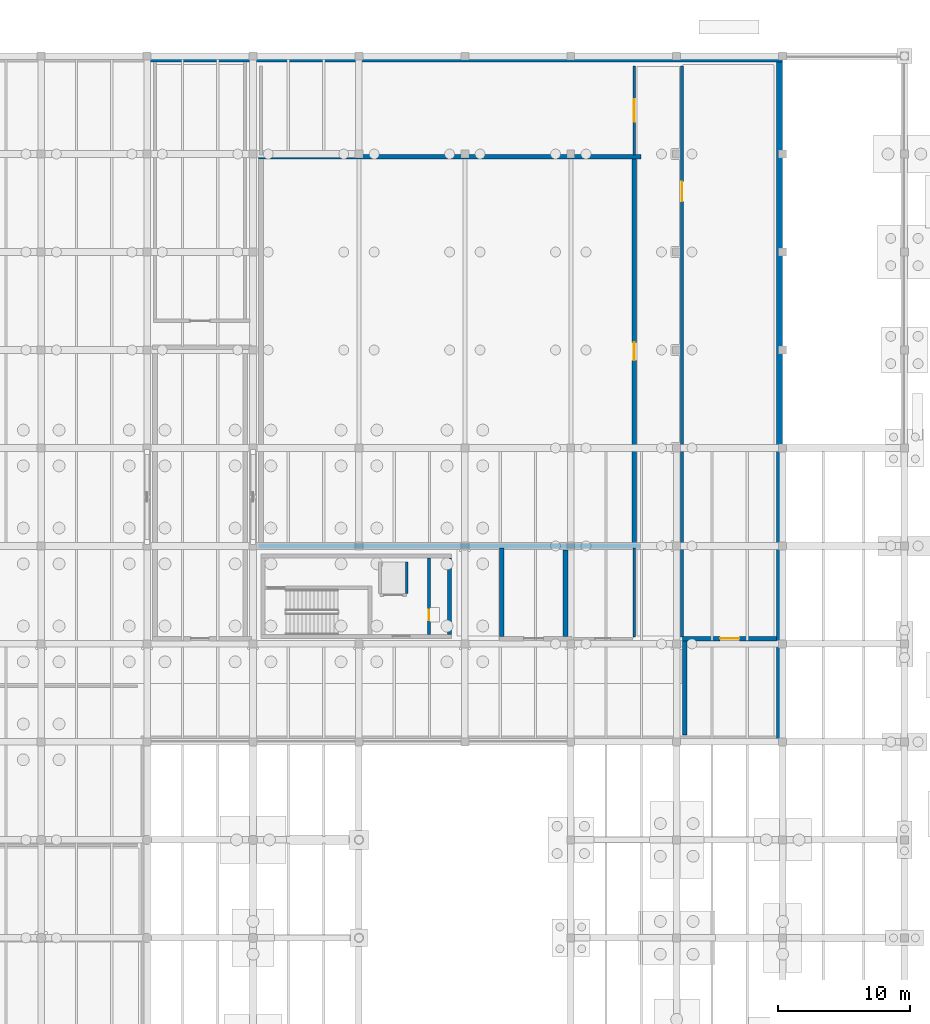
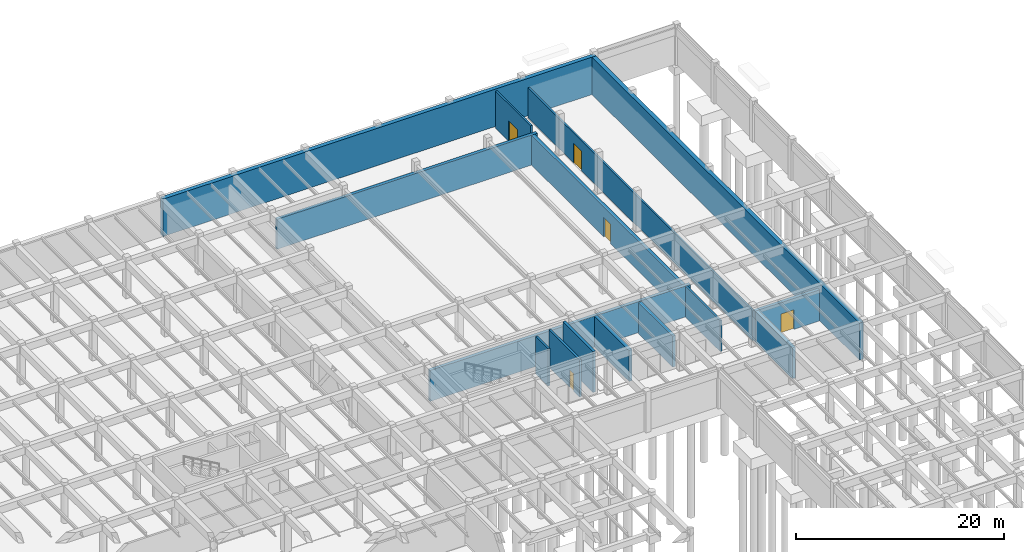
# One storey, part 25 of 40: 15 walls, 5 doors, 5 openings.
"""IFC4 building model written with IfcOpenShell, lengths in metres."""

from ifc_helpers import new_model, si_unit, direction, frame, frame_2d, origin, place, context, subcontext, project, spatial, rectangle, extrude, material, layer, layer_set, type_object, element, fill, save


model = new_model("IFC4")

# Units and contexts
model_context = context("Model", 3, precision=1e-05, world=origin(), true_north=direction((0.0, 1.0)))
body_context = subcontext(model_context, "Body", "Model", "MODEL_VIEW")
ifc_project = project(units=[si_unit("LENGTHUNIT", "METRE"), si_unit("AREAUNIT", "SQUARE_METRE"), si_unit("VOLUMEUNIT", "CUBIC_METRE"), si_unit("PLANEANGLEUNIT", "RADIAN"), si_unit("MASSUNIT", "GRAM", prefix="KILO")], contexts=[model_context])

# Site, building, storey
site_placement = place(None, origin())
site = spatial("IfcSite", under=ifc_project, at=site_placement, CompositionType="ELEMENT")
building_placement = place(site_placement, origin())
building = spatial("IfcBuilding", under=site, at=building_placement, Name="Valkorina Park Police Headquarters", CompositionType="ELEMENT")
storey_placement = place(building_placement, frame((0.0, 0.0, -4.800048828125)))
storey = spatial("IfcBuildingStorey", under=building, at=storey_placement, Name="B01", CompositionType="ELEMENT", Elevation=-4.800048828125)

# Wall
ifc_material_1 = material(Name="Autoclaved aerated concrete masonry", Category="masonry")
ifc_layer_1 = layer(ifc_material_1, 0.219970703125)
ifc_layer_set_1 = layer_set([ifc_layer_1], Name="Autoclaved aerated concrete masonry")
wall_type_1 = type_object("IfcWallType", Name="WL-CHASE-220-EI60", PredefinedType="PLUMBINGWALL", material=ifc_layer_set_1)
wall_1_placement = place(storey_placement, frame((124.409912109375, 70.39990234375, 0.0), z_axis=(0.0, 0.0, 1.0), x_axis=(0.0, 1.0, 0.0)))
element("IfcWall", 1, at=wall_1_placement, inside=storey, type_object=wall_type_1, Name="Lift LF-07 B01 Shaft Side Wall E", PredefinedType="PLUMBINGWALL", context=body_context, shape_type="SweptSolid", body=[
    extrude(rectangle(XDim=2.400146484375, YDim=0.219970703125, at=frame_2d((1.2001953125, 0.0))), origin(), (0.0, 0.0, 1.0), 4.380126953125),
])

# Wall, opening, door
wall_2_placement = place(storey_placement, frame((126.090087890625, 67.300048828125, 0.0), z_axis=(0.0, 0.0, 1.0), x_axis=(0.0, 1.0, 0.0)))
wall_2 = element("IfcWall", 2, at=wall_2_placement, inside=storey, type_object=wall_type_1, Name="Core C5 B01 Riser Shaft West Wall", PredefinedType="PLUMBINGWALL", context=body_context, shape_type="SweptSolid", body=[
    extrude(rectangle(XDim=5.800048828125, YDim=0.219970703125, at=frame_2d((2.89990234375, 0.0))), origin(), (0.0, 0.0, 1.0), 4.380126953125),
])
opening_1_placement = place(wall_2_placement, frame((1.10009765625, 0.0, 0.0)))
opening_1 = element("IfcOpeningElement", 3, at=opening_1_placement, cuts=wall_2, Name="Opening ID-01", PredefinedType="OPENING", context=body_context, shape_type="SweptSolid", body=[
    extrude(rectangle(XDim=0.800048828125, YDim=2.10009765625, at=frame_2d((0.39990234375, 1.050048828125))), frame((0.0, 0.1201171875, 0.0), z_axis=(0.0, -1.0, 0.0), x_axis=(1.0, 0.0, 0.0)), (0.0, 0.0, 1.0), 0.239990234375),
])
ifc_material_2 = material(Name="Galvanized steel door leaf", Category="steel")
ifc_layer_2 = layer(ifc_material_2, 0.050048828125)
ifc_layer_set_2 = layer_set([ifc_layer_2], Name="Galvanized steel door leaf")
door_type_1 = type_object("IfcDoorType", Name="DR-INT-RISER-800x2100", OperationType="NOTDEFINED", PredefinedType="DOOR", material=ifc_layer_set_2)
door_1_placement = place(opening_1_placement, origin())
door_1 = element("IfcDoor", 4, at=door_1_placement, inside=storey, type_object=door_type_1, Name="Riser Shaft Access Door C5-B01", OperationType="SINGLE_SWING_RIGHT", OverallHeight=2.10009765625, OverallWidth=0.800048828125, PredefinedType="DOOR", context=body_context, shape_type="SweptSolid", body=[
    extrude(rectangle(XDim=0.800048828125, YDim=2.10009765625, at=frame_2d((0.39990234375, 1.050048828125))), frame((0.0, 0.02490234375, 0.0), z_axis=(0.0, -1.0, 0.0), x_axis=(1.0, 0.0, 0.0)), (0.0, 0.0, 1.0), 0.050048828125),
])
fill(opening_1, door_1)

# Walls
ifc_material_3 = material(Name="Concrete C40/50", Category="concrete")
ifc_layer_3 = layer(ifc_material_3, 0.300048828125)
ifc_layer_set_3 = layer_set([ifc_layer_3], Name="Concrete C40/50")
wall_type_2 = type_object("IfcWallType", Name="WL-CORE-300-REI120", PredefinedType="SHEAR", material=ifc_layer_set_3)
wall_3_placement = place(storey_placement, frame((127.64990234375, 67.300048828125, 0.0), z_axis=(0.0, 0.0, 1.0), x_axis=(0.0, 1.0, 0.0)))
element("IfcWall", 5, at=wall_3_placement, inside=storey, type_object=wall_type_2, Name="Core C5 B01 Shear Wall E", PredefinedType="SHEAR", context=body_context, shape_type="SweptSolid", body=[
    extrude(rectangle(XDim=5.800048828125, YDim=0.300048828125, at=frame_2d((2.89990234375, 0.0))), origin(), (0.0, 0.0, 1.0), 4.795166015625),
])
ifc_layer_4 = layer(ifc_material_1, 0.199951171875)
ifc_layer_set_4 = layer_set([ifc_layer_4], Name="Autoclaved aerated concrete masonry")
wall_type_3 = type_object("IfcWallType", Name="WL-CORR-200-EI60", PredefinedType="STANDARD", material=ifc_layer_set_4)
wall_4_placement = place(storey_placement, frame((141.60009765625, 67.139892578125, 0.0), z_axis=(0.0, 0.0, 1.0), x_axis=(0.0, 1.0, 0.0)))
element("IfcWall", 6, at=wall_4_placement, inside=storey, type_object=wall_type_3, Name="B01 Interior Partition 0041 (B01-LCK-01)", PredefinedType="STANDARD", context=body_context, shape_type="SweptSolid", body=[
    extrude(rectangle(XDim=6.72021484375, YDim=0.199951171875, at=frame_2d((3.360107421875, 0.0))), origin(), (0.0, 0.0, 1.0), 3.630126953125),
])

# Wall, opening, door
wall_5_placement = place(storey_placement, frame((145.199951171875, 67.139892578125, 0.0), z_axis=(0.0, 0.0, 1.0), x_axis=(0.0, 1.0, 0.0)))
wall_5 = element("IfcWall", 7, at=wall_5_placement, inside=storey, type_object=wall_type_3, Name="B01 Interior Partition 0042 (B01-FLT-01)", PredefinedType="STANDARD", context=body_context, shape_type="SweptSolid", body=[
    extrude(rectangle(XDim=43.1201171875, YDim=0.199951171875, at=frame_2d((21.56005859375, 0.0))), origin(), (0.0, 0.0, 1.0), 3.510009765625),
])
opening_2_placement = place(wall_5_placement, frame((32.883544921875, 0.0, 0.0)))
opening_2 = element("IfcOpeningElement", 8, at=opening_2_placement, cuts=wall_5, Name="Opening ID-08", PredefinedType="OPENING", context=body_context, shape_type="SweptSolid", body=[
    extrude(rectangle(XDim=1.5, YDim=2.300048828125, at=frame_2d((0.75, 1.14990234375))), frame((0.0, 0.10986328125, 0.0), z_axis=(0.0, -1.0, 0.0), x_axis=(1.0, 0.0, 0.0)), (0.0, 0.0, 1.0), 0.219970703125),
])
ifc_layer_5 = layer(ifc_material_2, 0.050048828125)
ifc_layer_set_5 = layer_set([ifc_layer_5], Name="Galvanized steel door leaf")
door_type_2 = type_object("IfcDoorType", Name="DR-INT-EQP-1500x2300", OperationType="NOTDEFINED", PredefinedType="DOOR", material=ifc_layer_set_5)
door_2_placement = place(opening_2_placement, origin())
door_2 = element("IfcDoor", 9, at=door_2_placement, inside=storey, type_object=door_type_2, Name="Door D-B01-I016 (B01-FLT-01)", OperationType="SINGLE_SWING_LEFT", OverallHeight=2.300048828125, OverallWidth=1.5, PredefinedType="DOOR", context=body_context, shape_type="SweptSolid", body=[
    extrude(rectangle(XDim=1.5, YDim=2.300048828125, at=frame_2d((0.75, 1.14990234375))), frame((0.0, 0.02490234375, 0.0), z_axis=(0.0, -1.0, 0.0), x_axis=(1.0, 0.0, 0.0)), (0.0, 0.0, 1.0), 0.050048828125),
])
fill(opening_2, door_2)

wall_6_placement = place(storey_placement, frame((141.60009765625, 103.5400390625, 0.0), z_axis=(0.0, 0.0, 1.0), x_axis=(0.0, 1.0, 0.0)))
wall_6 = element("IfcWall", 10, at=wall_6_placement, inside=storey, type_object=wall_type_3, Name="B01 Interior Partition 0044 (B01-PLT-05)", PredefinedType="STANDARD", context=body_context, shape_type="SweptSolid", body=[
    extrude(rectangle(XDim=6.719970703125, YDim=0.199951171875, at=frame_2d((3.35986328125, 0.0))), origin(), (0.0, 0.0, 1.0), 4.380126953125),
])
opening_3_placement = place(wall_6_placement, frame((2.510009765625, 0.0, 0.0)))
opening_3 = element("IfcOpeningElement", 11, at=opening_3_placement, cuts=wall_6, Name="Opening FD-08", PredefinedType="OPENING", context=body_context, shape_type="SweptSolid", body=[
    extrude(rectangle(XDim=1.699951171875, YDim=2.39990234375, at=frame_2d((0.85009765625, 1.199951171875))), frame((0.0, 0.10986328125, 0.0), z_axis=(0.0, -1.0, 0.0), x_axis=(1.0, 0.0, 0.0)), (0.0, 0.0, 1.0), 0.219970703125),
])
ifc_layer_6 = layer(ifc_material_2, 0.050048828125)
ifc_layer_set_6 = layer_set([ifc_layer_6], Name="Galvanized steel door leaf")
door_type_3 = type_object("IfcDoorType", Name="DR-FIRE-PLANT-1700x2400", OperationType="NOTDEFINED", PredefinedType="DOOR", material=ifc_layer_set_6)
door_3_placement = place(opening_3_placement, origin())
door_3 = element("IfcDoor", 12, at=door_3_placement, inside=storey, type_object=door_type_3, Name="Door D-B01-I017 (B01-PLT-05)", OperationType="DOUBLE_DOOR_SINGLE_SWING", OverallHeight=2.39990234375, OverallWidth=1.699951171875, PredefinedType="DOOR", context=body_context, shape_type="SweptSolid", body=[
    extrude(rectangle(XDim=1.699951171875, YDim=2.39990234375, at=frame_2d((0.85009765625, 1.199951171875))), frame((0.0, 0.02490234375, 0.0), z_axis=(0.0, -1.0, 0.0), x_axis=(1.0, 0.0, 0.0)), (0.0, 0.0, 1.0), 0.050048828125),
])
fill(opening_3, door_3)

# Walls
ifc_layer_7 = layer(ifc_material_3, 0.35009765625)
ifc_layer_set_7 = layer_set([ifc_layer_7], Name="Concrete C40/50")
wall_type_4 = type_object("IfcWallType", Name="WL-RANGE-350-REI180", PredefinedType="SOLIDWALL", material=ifc_layer_set_7)
wall_7_placement = place(storey_placement, frame((113.22509765625, 74.0, 0.0), z_axis=(0.0, 0.0, 1.0), x_axis=(1.0, 0.0, 0.0)))
element("IfcWall", 13, at=wall_7_placement, inside=storey, type_object=wall_type_4, Name="B01 Interior Partition 0024 (B01-RNG-01)", PredefinedType="SOLIDWALL", context=body_context, shape_type="SweptSolid", body=[
    extrude(rectangle(XDim=28.864990234375, YDim=0.35009765625, at=frame_2d((14.4326171875, 0.0))), origin(), (0.0, 0.0, 1.0), 3.630126953125),
])
wall_8_placement = place(storey_placement, frame((113.22509765625, 103.39990234375, 0.0), z_axis=(0.0, 0.0, 1.0), x_axis=(1.0, 0.0, 0.0)))
element("IfcWall", 14, at=wall_8_placement, inside=storey, type_object=wall_type_4, Name="B01 Interior Partition 0025 (B01-RNG-01)", PredefinedType="SOLIDWALL", context=body_context, shape_type="SweptSolid", body=[
    extrude(rectangle(XDim=28.864990234375, YDim=0.35009765625, at=frame_2d((14.4326171875, 0.0))), origin(), (0.0, 0.0, 1.0), 3.510009765625),
])

# Wall, opening, door
wall_9_placement = place(storey_placement, frame((141.60009765625, 74.175048828125, 0.0), z_axis=(0.0, 0.0, 1.0), x_axis=(0.0, 1.0, 0.0)))
wall_9 = element("IfcWall", 15, at=wall_9_placement, inside=storey, type_object=wall_type_4, Name="B01 Interior Partition 0027 (B01-RNG-01)", PredefinedType="SOLIDWALL", context=body_context, shape_type="SweptSolid", body=[
    extrude(rectangle(XDim=29.050048828125, YDim=0.35009765625, at=frame_2d((14.52490234375, 0.0))), origin(), (0.0, 0.0, 1.0), 3.510009765625),
])
opening_4_placement = place(wall_9_placement, frame((13.85009765625, 0.0, 0.0)))
opening_4 = element("IfcOpeningElement", 16, at=opening_4_placement, cuts=wall_9, Name="Opening FD-09", PredefinedType="OPENING", context=body_context, shape_type="SweptSolid", body=[
    extrude(rectangle(XDim=1.35009765625, YDim=2.25, at=frame_2d((0.675048828125, 1.125))), frame((0.0, 0.18505859375, 0.0), z_axis=(0.0, -1.0, 0.0), x_axis=(1.0, 0.0, 0.0)), (0.0, 0.0, 1.0), 0.3701171875),
])
ifc_layer_8 = layer(ifc_material_2, 0.050048828125)
ifc_layer_set_8 = layer_set([ifc_layer_8], Name="Galvanized steel door leaf")
door_type_4 = type_object("IfcDoorType", Name="DR-FIRE-RANGE-1350x2250", OperationType="NOTDEFINED", PredefinedType="DOOR", material=ifc_layer_set_8)
door_4_placement = place(opening_4_placement, origin())
door_4 = element("IfcDoor", 17, at=door_4_placement, inside=storey, type_object=door_type_4, Name="Door D-B01-I010 (B01-RNG-01)", OperationType="SINGLE_SWING_LEFT", OverallHeight=2.25, OverallWidth=1.35009765625, PredefinedType="DOOR", context=body_context, shape_type="SweptSolid", body=[
    extrude(rectangle(XDim=1.35009765625, YDim=2.25, at=frame_2d((0.675048828125, 1.125))), frame((0.0, 0.02490234375, 0.0), z_axis=(0.0, -1.0, 0.0), x_axis=(1.0, 0.0, 0.0)), (0.0, 0.0, 1.0), 0.050048828125),
])
fill(opening_4, door_4)

# Walls
wall_10_placement = place(storey_placement, frame((131.60009765625, 67.175048828125, 0.0), z_axis=(0.0, 0.0, 1.0), x_axis=(0.0, 1.0, 0.0)))
element("IfcWall", 18, at=wall_10_placement, inside=storey, type_object=wall_type_4, Name="B01 Interior Partition 0036 (B01-ARM-01)", PredefinedType="SOLIDWALL", context=body_context, shape_type="SweptSolid", body=[
    extrude(rectangle(XDim=6.68505859375, YDim=0.35009765625, at=frame_2d((3.342529296875, 0.0))), origin(), (0.0, 0.0, 1.0), 3.630126953125),
])
wall_11_placement = place(storey_placement, frame((136.39990234375, 67.175048828125, 0.0), z_axis=(0.0, 0.0, 1.0), x_axis=(0.0, 1.0, 0.0)))
element("IfcWall", 19, at=wall_11_placement, inside=storey, type_object=wall_type_4, Name="B01 Interior Partition 0037 (B01-ARM-01)", PredefinedType="SOLIDWALL", context=body_context, shape_type="SweptSolid", body=[
    extrude(rectangle(XDim=6.52490234375, YDim=0.35009765625, at=frame_2d((3.262451171875, 0.0))), origin(), (0.0, 0.0, 1.0), 3.630126953125),
])

# Wall, opening, door
wall_12_placement = place(storey_placement, frame((145.22509765625, 67.0, 0.0), z_axis=(0.0, 0.0, 1.0), x_axis=(1.0, 0.0, 0.0)))
wall_12 = element("IfcWall", 20, at=wall_12_placement, inside=storey, type_object=wall_type_4, Name="B01 Interior Partition 0038 (B01-ARM-02)", PredefinedType="SOLIDWALL", context=body_context, shape_type="SweptSolid", body=[
    extrude(rectangle(XDim=7.124755859375, YDim=0.35009765625, at=frame_2d((3.5625, 0.0))), origin(), (0.0, 0.0, 1.0), 3.630126953125),
])
opening_5_placement = place(wall_12_placement, frame((2.85009765625, 0.0, 0.0)))
opening_5 = element("IfcOpeningElement", 21, at=opening_5_placement, cuts=wall_12, Name="Opening FD-07", PredefinedType="OPENING", context=body_context, shape_type="SweptSolid", body=[
    extrude(rectangle(XDim=1.449951171875, YDim=2.300048828125, at=frame_2d((0.72509765625, 1.14990234375))), frame((0.0, 0.18505859375, 0.0), z_axis=(0.0, -1.0, 0.0), x_axis=(1.0, 0.0, 0.0)), (0.0, 0.0, 1.0), 0.3701171875),
])
ifc_layer_9 = layer(ifc_material_2, 0.050048828125)
ifc_layer_set_9 = layer_set([ifc_layer_9], Name="Galvanized steel door leaf")
door_type_5 = type_object("IfcDoorType", Name="DR-FIRE-VAULT-1450x2300", OperationType="NOTDEFINED", PredefinedType="DOOR", material=ifc_layer_set_9)
door_5_placement = place(opening_5_placement, origin())
door_5 = element("IfcDoor", 22, at=door_5_placement, inside=storey, type_object=door_type_5, Name="Door D-B01-I014 (B01-ARM-02)", OperationType="SINGLE_SWING_LEFT", OverallHeight=2.300048828125, OverallWidth=1.449951171875, PredefinedType="DOOR", context=body_context, shape_type="SweptSolid", body=[
    extrude(rectangle(XDim=1.449951171875, YDim=2.300048828125, at=frame_2d((0.72509765625, 1.14990234375))), frame((0.0, 0.02490234375, 0.0), z_axis=(0.0, -1.0, 0.0), x_axis=(1.0, 0.0, 0.0)), (0.0, 0.0, 1.0), 0.050048828125),
])
fill(opening_5, door_5)

# Walls
wall_13_placement = place(storey_placement, frame((145.39990234375, 59.739990234375, 0.0), z_axis=(0.0, 0.0, 1.0), x_axis=(0.0, 1.0, 0.0)))
element("IfcWall", 23, at=wall_13_placement, inside=storey, type_object=wall_type_4, Name="B01 Interior Partition 0039 (B01-ARM-02)", PredefinedType="SOLIDWALL", context=body_context, shape_type="SweptSolid", body=[
    extrude(rectangle(XDim=7.0849609375, YDim=0.35009765625, at=frame_2d((3.54248046875, 0.0))), origin(), (0.0, 0.0, 1.0), 3.630126953125),
])
ifc_material_4 = material(Name="Concrete C35/45", Category="concrete")
ifc_layer_10 = layer(ifc_material_4, 0.449951171875)
ifc_layer_set_10 = layer_set([ifc_layer_10], Name="Concrete C35/45")
wall_type_5 = type_object("IfcWallType", Name="WL-RETAIN-450-REI120", PredefinedType="SOLIDWALL", material=ifc_layer_set_10)
wall_14_placement = place(storey_placement, frame((104.800048828125, 110.77490234375, 0.0), z_axis=(0.0, 0.0, 1.0), x_axis=(1.0, 0.0, 0.0)))
element("IfcWall", 24, at=wall_14_placement, inside=storey, type_object=wall_type_5, Name="B01 Basement Retaining Wall 05", PredefinedType="SOLIDWALL", context=body_context, shape_type="SweptSolid", body=[
    extrude(rectangle(XDim=48.0, YDim=0.449951171875, at=frame_2d((24.0, 0.0))), origin(), (0.0, 0.0, 1.0), 4.380126953125),
])
wall_15_placement = place(storey_placement, frame((152.574951171875, 110.550048828125, 0.0), z_axis=(0.0, 0.0, 1.0), x_axis=(0.0, -1.0, 0.0)))
element("IfcWall", 25, at=wall_15_placement, inside=storey, type_object=wall_type_5, Name="B01 Basement Retaining Wall 06", PredefinedType="SOLIDWALL", context=body_context, shape_type="SweptSolid", body=[
    extrude(rectangle(XDim=51.342041015625, YDim=0.449951171875, at=frame_2d((25.6708984375, 0.0))), origin(), (0.0, 0.0, 1.0), 4.380126953125),
])

save(model, "model.ifc")
